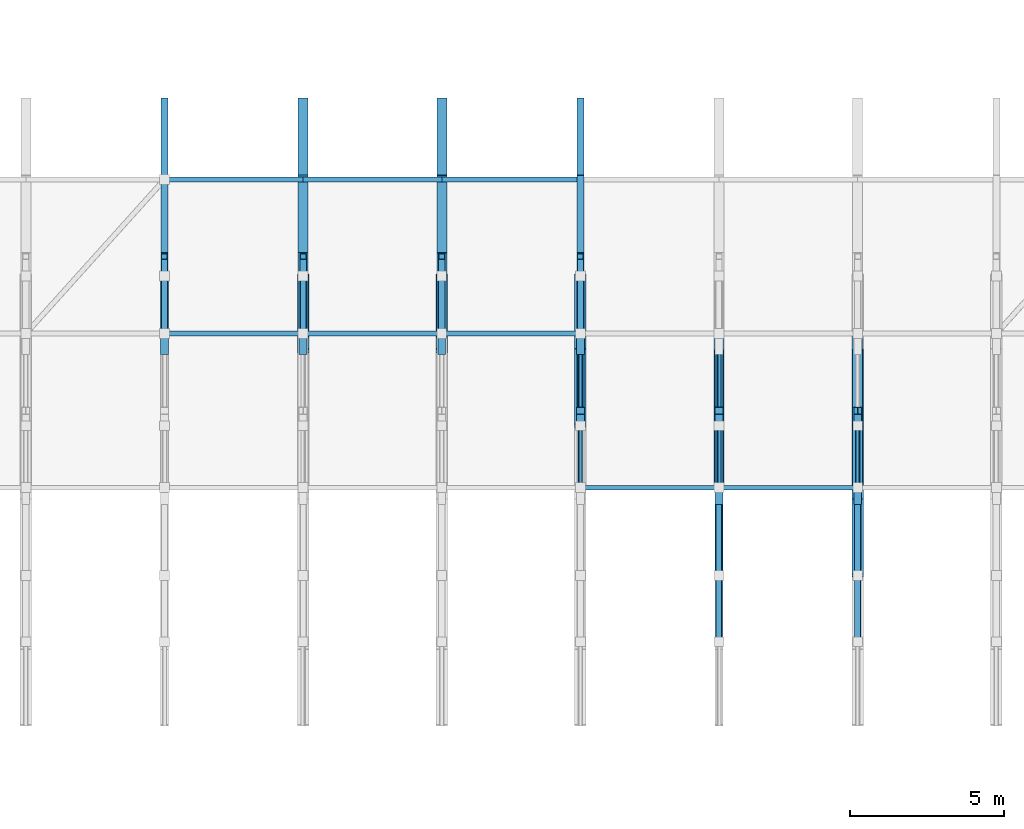
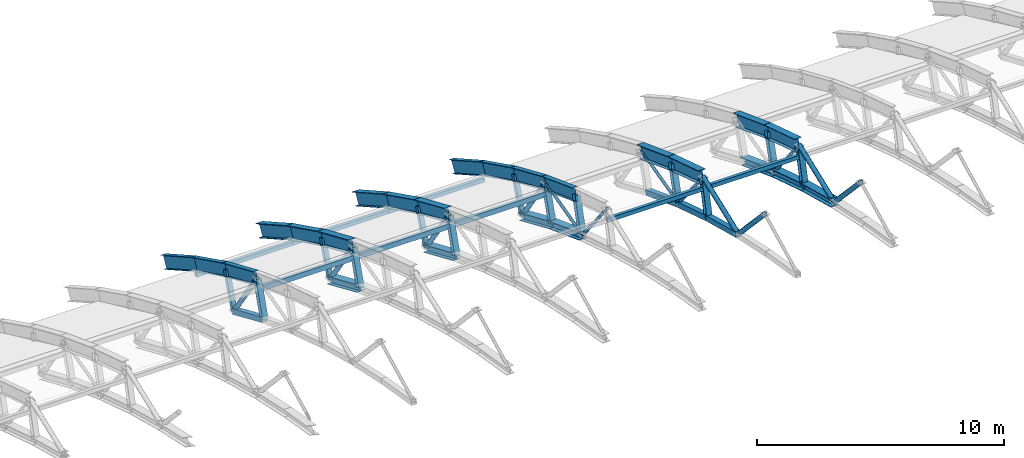
# One storey, part 46 of 103: 45 members, 17 beams.
"""IFC4 building model written with IfcOpenShell, lengths in metres."""

from ifc_helpers import new_model, si_unit, direction, frame, origin, origin_2d, place, context, subcontext, project, spatial, hollow_rectangle, hollow_circle, i_section, extrude, material, material_profile, profile_set, type_object, element, save


model = new_model("IFC4")

# Units and contexts
model_context = context("Model", 3, precision=1e-05, world=origin(), true_north=direction((0.0, 1.0)))
body_context = subcontext(model_context, "Body", "Model", "MODEL_VIEW")
ifc_project = project(units=[si_unit("LENGTHUNIT", "METRE"), si_unit("AREAUNIT", "SQUARE_METRE"), si_unit("VOLUMEUNIT", "CUBIC_METRE"), si_unit("PLANEANGLEUNIT", "RADIAN"), si_unit("MASSUNIT", "GRAM", prefix="KILO")], contexts=[model_context])

# Site, building, storey
site_placement = place(None, origin())
site = spatial("IfcSite", under=ifc_project, at=site_placement, CompositionType="ELEMENT")
building_placement = place(site_placement, origin())
building = spatial("IfcBuilding", under=site, at=building_placement, Name="Cazmaro Siding Exhibition Halls", CompositionType="ELEMENT")
storey_placement = place(building_placement, frame((0.0, 0.0, 16.5)))
storey = spatial("IfcBuildingStorey", under=building, at=storey_placement, Name="L03", CompositionType="ELEMENT", Elevation=16.5)

# Beams
ifc_material_1 = material(Name="Steel ASTM A992 Grade 50", Category="steel")
ifc_material_profile_1 = material_profile(ifc_material_1, i_section(OverallWidth=0.327880859375, OverallDepth=0.626953125, WebThickness=0.01708984375, FlangeThickness=0.028076171875, at=origin_2d()), Name="W24X146")
ifc_profile_set_1 = profile_set([ifc_material_profile_1], Name="Steel ASTM A992 Grade 50")
beam_type_1 = type_object("IfcBeamType", Name="AR-01", PredefinedType="USERDEFINED", material=ifc_profile_set_1)
beam_1_placement = place(storey_placement, frame((85.5, 114.0, 3.1220703125), z_axis=(0.0, 0.917729918626, -0.397204980405), x_axis=(-1.0, 0.0, 0.0)))
element("IfcBeam", 1, at=beam_1_placement, inside=storey, type_object=beam_type_1, Name="Space frame barrel vault arched rib AR-01 BM-0771", ObjectType="ARCHED RIB", PredefinedType="USERDEFINED", context=body_context, shape_type="SweptSolid", body=[
    extrude(i_section(OverallWidth=0.327880859375, OverallDepth=0.626953125, WebThickness=0.01708984375, FlangeThickness=0.028076171875, at=origin_2d()), origin(), (0.0, 0.0, 1.0), 2.72412109375),
])
beam_2_placement = place(storey_placement, frame((85.5, 116.5, 2.0400390625), z_axis=(0.0, 0.895996638269, -0.444060833908), x_axis=(-1.0, 0.0, 0.0)))
element("IfcBeam", 2, at=beam_2_placement, inside=storey, type_object=beam_type_1, Name="Space frame barrel vault arched rib AR-01 BM-0772", ObjectType="ARCHED RIB", PredefinedType="USERDEFINED", context=body_context, shape_type="SweptSolid", body=[
    extrude(i_section(OverallWidth=0.327880859375, OverallDepth=0.626953125, WebThickness=0.01708984375, FlangeThickness=0.028076171875, at=origin_2d()), origin(), (0.0, 0.0, 1.0), 2.790283203125),
])
beam_3_placement = place(storey_placement, frame((85.5, 119.0, 0.801025390625), z_axis=(0.0, 0.871320907359, -0.490713639916), x_axis=(-1.0, 0.0, 0.0)))
element("IfcBeam", 3, at=beam_3_placement, inside=storey, type_object=beam_type_1, Name="Space frame barrel vault arched rib AR-01 BM-0773", ObjectType="ARCHED RIB", PredefinedType="USERDEFINED", context=body_context, shape_type="SweptSolid", body=[
    extrude(i_section(OverallWidth=0.327880859375, OverallDepth=0.626953125, WebThickness=0.01708984375, FlangeThickness=0.028076171875, at=origin_2d()), origin(), (0.0, 0.0, 1.0), 2.869140625),
])
beam_4_placement = place(storey_placement, frame((99.0, 109.0, 4.85498046875), z_axis=(0.0, 0.952769241759, -0.303695195811), x_axis=(-1.0, 0.0, 0.0)))
element("IfcBeam", 4, at=beam_4_placement, inside=storey, type_object=beam_type_1, Name="Space frame barrel vault arched rib AR-01 BM-0841", ObjectType="ARCHED RIB", PredefinedType="USERDEFINED", context=body_context, shape_type="SweptSolid", body=[
    extrude(i_section(OverallWidth=0.327880859375, OverallDepth=0.626953125, WebThickness=0.01708984375, FlangeThickness=0.028076171875, at=origin_2d()), origin(), (0.0, 0.0, 1.0), 2.6240234375),
])
beam_5_placement = place(storey_placement, frame((99.0, 111.5, 4.05810546875), z_axis=(0.0, 0.936509460339, -0.350642311615), x_axis=(-1.0, 0.0, 0.0)))
element("IfcBeam", 5, at=beam_5_placement, inside=storey, type_object=beam_type_1, Name="Space frame barrel vault arched rib AR-01 BM-0842", ObjectType="ARCHED RIB", PredefinedType="USERDEFINED", context=body_context, shape_type="SweptSolid", body=[
    extrude(i_section(OverallWidth=0.327880859375, OverallDepth=0.626953125, WebThickness=0.01708984375, FlangeThickness=0.028076171875, at=origin_2d()), origin(), (0.0, 0.0, 1.0), 2.66943359375),
])
ifc_material_2 = material(Name="Steel ASTM A992 Grade 50", Category="steel")
ifc_material_profile_2 = material_profile(ifc_material_2, i_section(OverallWidth=0.324951171875, OverallDepth=0.612060546875, WebThickness=0.012939453125, FlangeThickness=0.01904296875, at=origin_2d()), Name="W24X104")
ifc_profile_set_2 = profile_set([ifc_material_profile_2], Name="Steel ASTM A992 Grade 50")
beam_type_2 = type_object("IfcBeamType", Name="AR-02", PredefinedType="USERDEFINED", material=ifc_profile_set_2)
beam_6_placement = place(storey_placement, frame((90.0, 114.0, 3.1220703125), z_axis=(0.0, 0.917729918626, -0.397204980405), x_axis=(-1.0, 0.0, 0.0)))
element("IfcBeam", 6, at=beam_6_placement, inside=storey, type_object=beam_type_2, Name="Space frame barrel vault arched rib AR-02 BM-0795", ObjectType="ARCHED RIB", PredefinedType="USERDEFINED", context=body_context, shape_type="SweptSolid", body=[
    extrude(i_section(OverallWidth=0.324951171875, OverallDepth=0.612060546875, WebThickness=0.012939453125, FlangeThickness=0.01904296875, at=origin_2d()), origin(), (0.0, 0.0, 1.0), 2.72412109375),
])
beam_7_placement = place(storey_placement, frame((90.0, 116.5, 2.0400390625), z_axis=(0.0, 0.895996638269, -0.444060833908), x_axis=(-1.0, 0.0, 0.0)))
element("IfcBeam", 7, at=beam_7_placement, inside=storey, type_object=beam_type_2, Name="Space frame barrel vault arched rib AR-02 BM-0796", ObjectType="ARCHED RIB", PredefinedType="USERDEFINED", context=body_context, shape_type="SweptSolid", body=[
    extrude(i_section(OverallWidth=0.324951171875, OverallDepth=0.612060546875, WebThickness=0.012939453125, FlangeThickness=0.01904296875, at=origin_2d()), origin(), (0.0, 0.0, 1.0), 2.790283203125),
])
beam_8_placement = place(storey_placement, frame((90.0, 119.0, 0.801025390625), z_axis=(0.0, 0.871320907359, -0.490713639916), x_axis=(-1.0, 0.0, 0.0)))
element("IfcBeam", 8, at=beam_8_placement, inside=storey, type_object=beam_type_2, Name="Space frame barrel vault arched rib AR-02 BM-0797", ObjectType="ARCHED RIB", PredefinedType="USERDEFINED", context=body_context, shape_type="SweptSolid", body=[
    extrude(i_section(OverallWidth=0.324951171875, OverallDepth=0.612060546875, WebThickness=0.012939453125, FlangeThickness=0.01904296875, at=origin_2d()), origin(), (0.0, 0.0, 1.0), 2.869140625),
])
beam_9_placement = place(storey_placement, frame((103.5, 109.0, 4.85498046875), z_axis=(0.0, 0.952769241759, -0.303695195811), x_axis=(-1.0, 0.0, 0.0)))
element("IfcBeam", 9, at=beam_9_placement, inside=storey, type_object=beam_type_2, Name="Space frame barrel vault arched rib AR-02 BM-0865", ObjectType="ARCHED RIB", PredefinedType="USERDEFINED", context=body_context, shape_type="SweptSolid", body=[
    extrude(i_section(OverallWidth=0.324951171875, OverallDepth=0.612060546875, WebThickness=0.012939453125, FlangeThickness=0.01904296875, at=origin_2d()), origin(), (0.0, 0.0, 1.0), 2.6240234375),
])
beam_10_placement = place(storey_placement, frame((103.5, 111.5, 4.05810546875), z_axis=(0.0, 0.936509460339, -0.350642311615), x_axis=(-1.0, 0.0, 0.0)))
element("IfcBeam", 10, at=beam_10_placement, inside=storey, type_object=beam_type_2, Name="Space frame barrel vault arched rib AR-02 BM-0866", ObjectType="ARCHED RIB", PredefinedType="USERDEFINED", context=body_context, shape_type="SweptSolid", body=[
    extrude(i_section(OverallWidth=0.324951171875, OverallDepth=0.612060546875, WebThickness=0.012939453125, FlangeThickness=0.01904296875, at=origin_2d()), origin(), (0.0, 0.0, 1.0), 2.66943359375),
])
ifc_material_3 = material(Name="Steel ASTM A992 Grade 50", Category="steel")
ifc_material_profile_3 = material_profile(ifc_material_3, i_section(OverallWidth=0.22900390625, OverallDepth=0.612060546875, WebThickness=0.011962890625, FlangeThickness=0.02001953125, at=origin_2d()), Name="W24X84")
ifc_profile_set_3 = profile_set([ifc_material_profile_3], Name="Steel ASTM A992 Grade 50")
beam_type_3 = type_object("IfcBeamType", Name="AR-03", PredefinedType="USERDEFINED", material=ifc_profile_set_3)
beam_11_placement = place(storey_placement, frame((81.0, 114.0, 3.1220703125), z_axis=(0.0, 0.917729918626, -0.397204980405), x_axis=(-1.0, 0.0, 0.0)))
element("IfcBeam", 11, at=beam_11_placement, inside=storey, type_object=beam_type_3, Name="Space frame barrel vault arched rib AR-03 BM-0747", ObjectType="ARCHED RIB", PredefinedType="USERDEFINED", context=body_context, shape_type="SweptSolid", body=[
    extrude(i_section(OverallWidth=0.22900390625, OverallDepth=0.612060546875, WebThickness=0.011962890625, FlangeThickness=0.02001953125, at=origin_2d()), origin(), (0.0, 0.0, 1.0), 2.72412109375),
])
beam_12_placement = place(storey_placement, frame((81.0, 116.5, 2.0400390625), z_axis=(0.0, 0.895996638269, -0.444060833908), x_axis=(-1.0, 0.0, 0.0)))
element("IfcBeam", 12, at=beam_12_placement, inside=storey, type_object=beam_type_3, Name="Space frame barrel vault arched rib AR-03 BM-0748", ObjectType="ARCHED RIB", PredefinedType="USERDEFINED", context=body_context, shape_type="SweptSolid", body=[
    extrude(i_section(OverallWidth=0.22900390625, OverallDepth=0.612060546875, WebThickness=0.011962890625, FlangeThickness=0.02001953125, at=origin_2d()), origin(), (0.0, 0.0, 1.0), 2.790283203125),
])
beam_13_placement = place(storey_placement, frame((81.0, 119.0, 0.801025390625), z_axis=(0.0, 0.871320907359, -0.490713639916), x_axis=(-1.0, 0.0, 0.0)))
element("IfcBeam", 13, at=beam_13_placement, inside=storey, type_object=beam_type_3, Name="Space frame barrel vault arched rib AR-03 BM-0749", ObjectType="ARCHED RIB", PredefinedType="USERDEFINED", context=body_context, shape_type="SweptSolid", body=[
    extrude(i_section(OverallWidth=0.22900390625, OverallDepth=0.612060546875, WebThickness=0.011962890625, FlangeThickness=0.02001953125, at=origin_2d()), origin(), (0.0, 0.0, 1.0), 2.869140625),
])
beam_14_placement = place(storey_placement, frame((94.5, 111.5, 4.05810546875), z_axis=(0.0, 0.936509460339, -0.350642311615), x_axis=(-1.0, 0.0, 0.0)))
element("IfcBeam", 14, at=beam_14_placement, inside=storey, type_object=beam_type_3, Name="Space frame barrel vault arched rib AR-03 BM-0818", ObjectType="ARCHED RIB", PredefinedType="USERDEFINED", context=body_context, shape_type="SweptSolid", body=[
    extrude(i_section(OverallWidth=0.22900390625, OverallDepth=0.612060546875, WebThickness=0.011962890625, FlangeThickness=0.02001953125, at=origin_2d()), origin(), (0.0, 0.0, 1.0), 2.66943359375),
])
beam_15_placement = place(storey_placement, frame((94.5, 114.0, 3.1220703125), z_axis=(0.0, 0.917729918626, -0.397204980405), x_axis=(-1.0, 0.0, 0.0)))
element("IfcBeam", 15, at=beam_15_placement, inside=storey, type_object=beam_type_3, Name="Space frame barrel vault arched rib AR-03 BM-0819", ObjectType="ARCHED RIB", PredefinedType="USERDEFINED", context=body_context, shape_type="SweptSolid", body=[
    extrude(i_section(OverallWidth=0.22900390625, OverallDepth=0.612060546875, WebThickness=0.011962890625, FlangeThickness=0.02001953125, at=origin_2d()), origin(), (0.0, 0.0, 1.0), 2.72412109375),
])
beam_16_placement = place(storey_placement, frame((94.5, 116.5, 2.0400390625), z_axis=(0.0, 0.895996638269, -0.444060833908), x_axis=(-1.0, 0.0, 0.0)))
element("IfcBeam", 16, at=beam_16_placement, inside=storey, type_object=beam_type_3, Name="Space frame barrel vault arched rib AR-03 BM-0820", ObjectType="ARCHED RIB", PredefinedType="USERDEFINED", context=body_context, shape_type="SweptSolid", body=[
    extrude(i_section(OverallWidth=0.22900390625, OverallDepth=0.612060546875, WebThickness=0.011962890625, FlangeThickness=0.02001953125, at=origin_2d()), origin(), (0.0, 0.0, 1.0), 2.790283203125),
])
beam_17_placement = place(storey_placement, frame((94.5, 119.0, 0.801025390625), z_axis=(0.0, 0.871320907359, -0.490713639916), x_axis=(-1.0, 0.0, 0.0)))
element("IfcBeam", 17, at=beam_17_placement, inside=storey, type_object=beam_type_3, Name="Space frame barrel vault arched rib AR-03 BM-0821", ObjectType="ARCHED RIB", PredefinedType="USERDEFINED", context=body_context, shape_type="SweptSolid", body=[
    extrude(i_section(OverallWidth=0.22900390625, OverallDepth=0.612060546875, WebThickness=0.011962890625, FlangeThickness=0.02001953125, at=origin_2d()), origin(), (0.0, 0.0, 1.0), 2.869140625),
])

# Members
ifc_material_4 = material(Name="Steel ASTM A500 Grade C", Category="steel")
ifc_material_profile_4 = material_profile(ifc_material_4, hollow_rectangle(XDim=0.152099609375, YDim=0.202880859375, WallThickness=0.011962890625, at=origin_2d()), Name="HSS8X6X1/2")
ifc_profile_set_4 = profile_set([ifc_material_profile_4], Name="Steel ASTM A500 Grade C")
member_type_1 = type_object("IfcMemberType", Name="RP-01", PredefinedType="PURLIN", material=ifc_profile_set_4)
for number, where, z_axis, x_axis, name in (
    (18, (81.0, 119.0, 0.260986328125), (1.0, 0.0, 0.0), (0.0, 1.0, 0.0), "Space frame barrel vault purlin RP-01 MEM-2074"),
    (19, (85.5, 119.0, 0.260986328125), (1.0, 0.0, 0.0), (0.0, 1.0, 0.0), "Space frame barrel vault purlin RP-01 MEM-2085"),
    (20, (90.0, 119.0, 0.260986328125), (1.0, 0.0, 0.0), (0.0, 1.0, 0.0), "Space frame barrel vault purlin RP-01 MEM-2096"),
    (21, (94.5, 109.0, 4.31494140625), (1.0, 0.0, 0.0), (0.0, 1.0, 0.0), "Space frame barrel vault purlin RP-01 MEM-2105"),
    (22, (99.0, 109.0, 4.31494140625), (1.0, 0.0, 0.0), (0.0, 1.0, 0.0), "Space frame barrel vault purlin RP-01 MEM-2116"),
):
    element("IfcMember", number, at=place(storey_placement, frame(where, z_axis=z_axis, x_axis=x_axis)), inside=storey, type_object=member_type_1, Name=name, PredefinedType="PURLIN", context=body_context, shape_type="SweptSolid", body=[
        extrude(hollow_rectangle(XDim=0.152099609375, YDim=0.202880859375, WallThickness=0.011962890625, at=origin_2d()), origin(), (0.0, 0.0, 1.0), 4.5),
    ])
ifc_material_5 = material(Name="Steel ASTM A500 Grade C", Category="steel")
ifc_material_profile_5 = material_profile(ifc_material_5, hollow_rectangle(XDim=0.152099609375, YDim=0.25390625, WallThickness=0.011962890625, at=origin_2d()), Name="HSS10X6X1/2")
ifc_profile_set_5 = profile_set([ifc_material_profile_5], Name="Steel ASTM A500 Grade C")
member_type_2 = type_object("IfcMemberType", Name="RP-04", PredefinedType="PURLIN", material=ifc_profile_set_5)
for number, where, z_axis, x_axis, name in (
    (23, (81.0, 114.0, 2.58203125), (1.0, 0.0, 0.0), (0.0, 1.0, 0.0), "Space frame barrel vault purlin RP-04 MEM-2073"),
    (24, (85.5, 114.0, 2.58203125), (1.0, 0.0, 0.0), (0.0, 1.0, 0.0), "Space frame barrel vault purlin RP-04 MEM-2084"),
    (25, (90.0, 114.0, 2.58203125), (1.0, 0.0, 0.0), (0.0, 1.0, 0.0), "Space frame barrel vault purlin RP-04 MEM-2095"),
):
    element("IfcMember", number, at=place(storey_placement, frame(where, z_axis=z_axis, x_axis=x_axis)), inside=storey, type_object=member_type_2, Name=name, PredefinedType="PURLIN", context=body_context, shape_type="SweptSolid", body=[
        extrude(hollow_rectangle(XDim=0.152099609375, YDim=0.25390625, WallThickness=0.011962890625, at=origin_2d()), origin(), (0.0, 0.0, 1.0), 4.5),
    ])
ifc_material_6 = material(Name="Steel ASTM A500 Grade C", Category="steel")
ifc_material_profile_6 = material_profile(ifc_material_6, hollow_rectangle(XDim=0.25390625, YDim=0.25390625, WallThickness=0.014892578125, at=origin_2d()), Name="HSS10X10X5/8")
ifc_profile_set_6 = profile_set([ifc_material_profile_6], Name="Steel ASTM A500 Grade C")
member_type_3 = type_object("IfcMemberType", Name="TC-01", PredefinedType="CHORD", material=ifc_profile_set_6)
member_1_placement = place(storey_placement, frame((81.0, 113.43896484375, 1.430908203125), z_axis=(0.0, 0.917689003843, -0.397299499403), x_axis=(-1.0, 0.0, 0.0)))
element("IfcMember", 26, at=member_1_placement, inside=storey, type_object=member_type_3, Name="Space frame barrel vault bottom chord TC-01 MEM-0561", PredefinedType="CHORD", context=body_context, shape_type="SweptSolid", body=[
    extrude(hollow_rectangle(XDim=0.25390625, YDim=0.25390625, WallThickness=0.014892578125, at=origin_2d()), origin(), (0.0, 0.0, 1.0), 2.64794921875),
])
member_2_placement = place(storey_placement, frame((99.0, 106.14990234375, 3.760986328125), z_axis=(0.0, 0.966437683387, -0.256901156343), x_axis=(-1.0, 0.0, 0.0)))
element("IfcMember", 27, at=member_2_placement, inside=storey, type_object=member_type_3, Name="Space frame barrel vault bottom chord TC-01 MEM-0839", PredefinedType="CHORD", context=body_context, shape_type="SweptSolid", body=[
    extrude(hollow_rectangle(XDim=0.25390625, YDim=0.25390625, WallThickness=0.014892578125, at=origin_2d()), origin(), (0.0, 0.0, 1.0), 2.5146484375),
])
member_3_placement = place(storey_placement, frame((99.0, 108.580078125, 3.114990234375), z_axis=(0.0, 0.952692842525, -0.303934775573), x_axis=(-1.0, 0.0, 0.0)))
element("IfcMember", 28, at=member_3_placement, inside=storey, type_object=member_type_3, Name="Space frame barrel vault bottom chord TC-01 MEM-0841", PredefinedType="CHORD", context=body_context, shape_type="SweptSolid", body=[
    extrude(hollow_rectangle(XDim=0.25390625, YDim=0.25390625, WallThickness=0.014892578125, at=origin_2d()), origin(), (0.0, 0.0, 1.0), 2.549560546875),
])
member_4_placement = place(storey_placement, frame((99.0, 111.009033203125, 2.340087890625), z_axis=(0.0, 0.936588022869, -0.350432412053), x_axis=(-1.0, 0.0, 0.0)))
element("IfcMember", 29, at=member_4_placement, inside=storey, type_object=member_type_3, Name="Space frame barrel vault bottom chord TC-01 MEM-0843", PredefinedType="CHORD", context=body_context, shape_type="SweptSolid", body=[
    extrude(hollow_rectangle(XDim=0.25390625, YDim=0.25390625, WallThickness=0.014892578125, at=origin_2d()), origin(), (0.0, 0.0, 1.0), 2.594482421875),
])
ifc_material_7 = material(Name="Steel ASTM A992 Grade 50", Category="steel")
ifc_material_profile_7 = material_profile(ifc_material_7, i_section(OverallWidth=0.37109375, OverallDepth=0.364013671875, WebThickness=0.012939453125, FlangeThickness=0.02197265625, at=origin_2d()), Name="W14X109")
ifc_profile_set_7 = profile_set([ifc_material_profile_7], Name="Steel ASTM A992 Grade 50")
member_type_4 = type_object("IfcMemberType", Name="TC-06", PredefinedType="CHORD", material=ifc_profile_set_7)
for number, where, z_axis, x_axis, name in (
    (30, (85.5, 113.43896484375, 1.430908203125), (0.0, 0.917689003843, -0.397299499403), (-1.0, 0.0, 0.0), "Space frame barrel vault bottom chord TC-06 MEM-0632"),
    (31, (90.0, 113.43896484375, 1.430908203125), (0.0, 0.917689003843, -0.397299499403), (-1.0, 0.0, 0.0), "Space frame barrel vault bottom chord TC-06 MEM-0703"),
):
    element("IfcMember", number, at=place(storey_placement, frame(where, z_axis=z_axis, x_axis=x_axis)), inside=storey, type_object=member_type_4, Name=name, PredefinedType="CHORD", context=body_context, shape_type="SweptSolid", body=[
        extrude(i_section(OverallWidth=0.37109375, OverallDepth=0.364013671875, WebThickness=0.012939453125, FlangeThickness=0.02197265625, at=origin_2d()), origin(), (0.0, 0.0, 1.0), 2.64794921875),
    ])
member_5_placement = place(storey_placement, frame((94.5, 111.009033203125, 2.340087890625), z_axis=(0.0, 0.936588022869, -0.350432412053), x_axis=(-1.0, 0.0, 0.0)))
element("IfcMember", 32, at=member_5_placement, inside=storey, type_object=member_type_4, Name="Space frame barrel vault bottom chord TC-06 MEM-0772", PredefinedType="CHORD", context=body_context, shape_type="SweptSolid", body=[
    extrude(i_section(OverallWidth=0.37109375, OverallDepth=0.364013671875, WebThickness=0.012939453125, FlangeThickness=0.02197265625, at=origin_2d()), origin(), (0.0, 0.0, 1.0), 2.594482421875),
])
member_6_placement = place(storey_placement, frame((94.5, 113.43896484375, 1.430908203125), z_axis=(0.0, 0.917689003843, -0.397299499403), x_axis=(-1.0, 0.0, 0.0)))
element("IfcMember", 33, at=member_6_placement, inside=storey, type_object=member_type_4, Name="Space frame barrel vault bottom chord TC-06 MEM-0774", PredefinedType="CHORD", context=body_context, shape_type="SweptSolid", body=[
    extrude(i_section(OverallWidth=0.37109375, OverallDepth=0.364013671875, WebThickness=0.012939453125, FlangeThickness=0.02197265625, at=origin_2d()), origin(), (0.0, 0.0, 1.0), 2.64794921875),
])
member_7_placement = place(storey_placement, frame((103.5, 106.14990234375, 3.760986328125), z_axis=(0.0, 0.966437683387, -0.256901156343), x_axis=(-1.0, 0.0, 0.0)))
element("IfcMember", 34, at=member_7_placement, inside=storey, type_object=member_type_4, Name="Space frame barrel vault bottom chord TC-06 MEM-0910", PredefinedType="CHORD", context=body_context, shape_type="SweptSolid", body=[
    extrude(i_section(OverallWidth=0.37109375, OverallDepth=0.364013671875, WebThickness=0.012939453125, FlangeThickness=0.02197265625, at=origin_2d()), origin(), (0.0, 0.0, 1.0), 2.5146484375),
])
member_8_placement = place(storey_placement, frame((103.5, 108.580078125, 3.114990234375), z_axis=(0.0, 0.952692842525, -0.303934775573), x_axis=(-1.0, 0.0, 0.0)))
element("IfcMember", 35, at=member_8_placement, inside=storey, type_object=member_type_4, Name="Space frame barrel vault bottom chord TC-06 MEM-0912", PredefinedType="CHORD", context=body_context, shape_type="SweptSolid", body=[
    extrude(i_section(OverallWidth=0.37109375, OverallDepth=0.364013671875, WebThickness=0.012939453125, FlangeThickness=0.02197265625, at=origin_2d()), origin(), (0.0, 0.0, 1.0), 2.549560546875),
])
member_9_placement = place(storey_placement, frame((103.5, 111.009033203125, 2.340087890625), z_axis=(0.0, 0.936588022869, -0.350432412053), x_axis=(-1.0, 0.0, 0.0)))
element("IfcMember", 36, at=member_9_placement, inside=storey, type_object=member_type_4, Name="Space frame barrel vault bottom chord TC-06 MEM-0914", PredefinedType="CHORD", context=body_context, shape_type="SweptSolid", body=[
    extrude(i_section(OverallWidth=0.37109375, OverallDepth=0.364013671875, WebThickness=0.012939453125, FlangeThickness=0.02197265625, at=origin_2d()), origin(), (0.0, 0.0, 1.0), 2.594482421875),
])
ifc_material_8 = material(Name="Steel ASTM A500 Grade C", Category="steel")
ifc_material_profile_8 = material_profile(ifc_material_8, hollow_rectangle(XDim=0.202880859375, YDim=0.202880859375, WallThickness=0.011962890625, at=origin_2d()), Name="HSS8X8X1/2")
ifc_profile_set_8 = profile_set([ifc_material_profile_8], Name="Steel ASTM A500 Grade C")
member_type_5 = type_object("IfcMemberType", Name="TP-01", PredefinedType="POST", material=ifc_profile_set_8)
for number, where, z_axis, x_axis, name in (
    (37, (81.0, 115.868896484375, 0.37890625), (0.0, 0.355155331276, 0.934807301355), (-1.0, 0.0, 0.0), "Space frame barrel vault post TP-01 MEM-0589"),
    (38, (85.5, 115.868896484375, 0.37890625), (0.0, 0.355155331276, 0.934807301355), (-1.0, 0.0, 0.0), "Space frame barrel vault post TP-01 MEM-0660"),
    (39, (90.0, 115.868896484375, 0.37890625), (0.0, 0.355155331276, 0.934807301355), (-1.0, 0.0, 0.0), "Space frame barrel vault post TP-01 MEM-0731"),
    (40, (94.5, 115.868896484375, 0.37890625), (0.0, 0.355155331276, 0.934807301355), (-1.0, 0.0, 0.0), "Space frame barrel vault post TP-01 MEM-0802"),
):
    element("IfcMember", number, at=place(storey_placement, frame(where, z_axis=z_axis, x_axis=x_axis)), inside=storey, type_object=member_type_5, Name=name, PredefinedType="POST", context=body_context, shape_type="SweptSolid", body=[
        extrude(hollow_rectangle(XDim=0.202880859375, YDim=0.202880859375, WallThickness=0.011962890625, at=origin_2d()), origin(), (0.0, 0.0, 1.0), 1.777099609375),
    ])
ifc_material_9 = material(Name="Steel ASTM A992 Grade 50", Category="steel")
ifc_material_profile_9 = material_profile(ifc_material_9, i_section(OverallWidth=0.25390625, OverallDepth=0.25390625, WebThickness=0.009033203125, FlangeThickness=0.013916015625, at=origin_2d()), Name="W10X49")
ifc_profile_set_9 = profile_set([ifc_material_profile_9], Name="Steel ASTM A992 Grade 50")
member_type_6 = type_object("IfcMemberType", Name="TP-04", PredefinedType="POST", material=ifc_profile_set_9)
for number, where, z_axis, x_axis, name in (
    (41, (81.0, 113.43896484375, 1.430908203125), (0.0, 0.314870949103, 0.949134492794), (-1.0, 0.0, 0.0), "Space frame barrel vault post TP-04 MEM-0588"),
    (42, (85.5, 113.43896484375, 1.430908203125), (0.0, 0.314870949103, 0.949134492794), (-1.0, 0.0, 0.0), "Space frame barrel vault post TP-04 MEM-0659"),
    (43, (90.0, 113.43896484375, 1.430908203125), (0.0, 0.314870949103, 0.949134492794), (-1.0, 0.0, 0.0), "Space frame barrel vault post TP-04 MEM-0730"),
):
    element("IfcMember", number, at=place(storey_placement, frame(where, z_axis=z_axis, x_axis=x_axis)), inside=storey, type_object=member_type_6, Name=name, PredefinedType="POST", context=body_context, shape_type="SweptSolid", body=[
        extrude(i_section(OverallWidth=0.25390625, OverallDepth=0.25390625, WebThickness=0.009033203125, FlangeThickness=0.013916015625, at=origin_2d()), origin(), (0.0, 0.0, 1.0), 1.78173828125),
    ])
member_10_placement = place(storey_placement, frame((94.5, 111.009033203125, 2.340087890625), z_axis=(0.0, 0.274775266308, 0.961508477875), x_axis=(-1.0, 0.0, 0.0)))
element("IfcMember", 44, at=member_10_placement, inside=storey, type_object=member_type_6, Name="Space frame barrel vault post TP-04 MEM-0800", PredefinedType="POST", context=body_context, shape_type="SweptSolid", body=[
    extrude(i_section(OverallWidth=0.25390625, OverallDepth=0.25390625, WebThickness=0.009033203125, FlangeThickness=0.013916015625, at=origin_2d()), origin(), (0.0, 0.0, 1.0), 1.786865234375),
])
member_11_placement = place(storey_placement, frame((94.5, 113.43896484375, 1.430908203125), z_axis=(0.0, 0.314870949103, 0.949134492794), x_axis=(-1.0, 0.0, 0.0)))
element("IfcMember", 45, at=member_11_placement, inside=storey, type_object=member_type_6, Name="Space frame barrel vault post TP-04 MEM-0801", PredefinedType="POST", context=body_context, shape_type="SweptSolid", body=[
    extrude(i_section(OverallWidth=0.25390625, OverallDepth=0.25390625, WebThickness=0.009033203125, FlangeThickness=0.013916015625, at=origin_2d()), origin(), (0.0, 0.0, 1.0), 1.78173828125),
])
member_12_placement = place(storey_placement, frame((99.0, 108.580078125, 3.114990234375), z_axis=(0.0, 0.234600533729, 0.972091862724), x_axis=(-1.0, 0.0, 0.0)))
element("IfcMember", 46, at=member_12_placement, inside=storey, type_object=member_type_6, Name="Space frame barrel vault post TP-04 MEM-0870", PredefinedType="POST", context=body_context, shape_type="SweptSolid", body=[
    extrude(i_section(OverallWidth=0.25390625, OverallDepth=0.25390625, WebThickness=0.009033203125, FlangeThickness=0.013916015625, at=origin_2d()), origin(), (0.0, 0.0, 1.0), 1.7900390625),
])
member_13_placement = place(storey_placement, frame((99.0, 111.009033203125, 2.340087890625), z_axis=(0.0, 0.274775266308, 0.961508477875), x_axis=(-1.0, 0.0, 0.0)))
element("IfcMember", 47, at=member_13_placement, inside=storey, type_object=member_type_6, Name="Space frame barrel vault post TP-04 MEM-0871", PredefinedType="POST", context=body_context, shape_type="SweptSolid", body=[
    extrude(i_section(OverallWidth=0.25390625, OverallDepth=0.25390625, WebThickness=0.009033203125, FlangeThickness=0.013916015625, at=origin_2d()), origin(), (0.0, 0.0, 1.0), 1.786865234375),
])
member_14_placement = place(storey_placement, frame((103.5, 108.580078125, 3.114990234375), z_axis=(0.0, 0.234600533729, 0.972091862724), x_axis=(-1.0, 0.0, 0.0)))
element("IfcMember", 48, at=member_14_placement, inside=storey, type_object=member_type_6, Name="Space frame barrel vault post TP-04 MEM-0941", PredefinedType="POST", context=body_context, shape_type="SweptSolid", body=[
    extrude(i_section(OverallWidth=0.25390625, OverallDepth=0.25390625, WebThickness=0.009033203125, FlangeThickness=0.013916015625, at=origin_2d()), origin(), (0.0, 0.0, 1.0), 1.7900390625),
])
member_15_placement = place(storey_placement, frame((103.5, 111.009033203125, 2.340087890625), z_axis=(0.0, 0.274775266308, 0.961508477875), x_axis=(-1.0, 0.0, 0.0)))
element("IfcMember", 49, at=member_15_placement, inside=storey, type_object=member_type_6, Name="Space frame barrel vault post TP-04 MEM-0942", PredefinedType="POST", context=body_context, shape_type="SweptSolid", body=[
    extrude(i_section(OverallWidth=0.25390625, OverallDepth=0.25390625, WebThickness=0.009033203125, FlangeThickness=0.013916015625, at=origin_2d()), origin(), (0.0, 0.0, 1.0), 1.786865234375),
])
ifc_material_10 = material(Name="Steel ASTM A500 Grade C", Category="steel")
ifc_material_profile_10 = material_profile(ifc_material_10, hollow_circle(Radius=0.109619140625, WallThickness=0.012939453125, at=origin_2d()), Name="PIPE8XS")
ifc_profile_set_10 = profile_set([ifc_material_profile_10], Name="Steel ASTM A500 Grade C")
member_type_7 = type_object("IfcMemberType", Name="WB-01", PredefinedType="BRACE", material=ifc_profile_set_10)
for number, where, z_axis, x_axis, name in (
    (50, (81.0, 114.0, 3.1220703125), (0.0, 0.563040090795, -0.826429583302), (-1.0, 0.0, 0.0), "Space frame barrel vault diagonal WB-01 MEM-0562"),
    (51, (85.5, 114.0, 3.1220703125), (0.0, 0.563040090795, -0.826429583302), (-1.0, 0.0, 0.0), "Space frame barrel vault diagonal WB-01 MEM-0633"),
    (52, (90.0, 114.0, 3.1220703125), (0.0, 0.563040090795, -0.826429583302), (-1.0, 0.0, 0.0), "Space frame barrel vault diagonal WB-01 MEM-0704"),
    (53, (94.5, 114.0, 3.1220703125), (0.0, 0.563040090795, -0.826429583302), (-1.0, 0.0, 0.0), "Space frame barrel vault diagonal WB-01 MEM-0775"),
):
    element("IfcMember", number, at=place(storey_placement, frame(where, z_axis=z_axis, x_axis=x_axis)), inside=storey, type_object=member_type_7, Name=name, PredefinedType="BRACE", context=body_context, shape_type="SweptSolid", body=[
        extrude(hollow_circle(Radius=0.109619140625, WallThickness=0.012939453125, at=origin_2d()), origin(), (0.0, 0.0, 1.0), 3.3193359375),
    ])
member_16_placement = place(storey_placement, frame((99.0, 104.0, 6.056884765625), z_axis=(0.0, 0.683517575744, -0.729934054315), x_axis=(-1.0, 0.0, 0.0)))
element("IfcMember", 54, at=member_16_placement, inside=storey, type_object=member_type_7, Name="Space frame barrel vault diagonal WB-01 MEM-0838", PredefinedType="BRACE", context=body_context, shape_type="SweptSolid", body=[
    extrude(hollow_circle(Radius=0.109619140625, WallThickness=0.012939453125, at=origin_2d()), origin(), (0.0, 0.0, 1.0), 3.145263671875),
])
member_17_placement = place(storey_placement, frame((99.0, 106.14990234375, 3.760986328125), z_axis=(0.0, 0.933586546586, 0.358352005761), x_axis=(-1.0, 0.0, 0.0)))
element("IfcMember", 55, at=member_17_placement, inside=storey, type_object=member_type_7, Name="Space frame barrel vault diagonal WB-01 MEM-0840", PredefinedType="BRACE", context=body_context, shape_type="SweptSolid", body=[
    extrude(hollow_circle(Radius=0.109619140625, WallThickness=0.012939453125, at=origin_2d()), origin(), (0.0, 0.0, 1.0), 3.052734375),
])
member_18_placement = place(storey_placement, frame((103.5, 104.0, 6.056884765625), z_axis=(0.0, 0.683517575744, -0.729934054315), x_axis=(-1.0, 0.0, 0.0)))
element("IfcMember", 56, at=member_18_placement, inside=storey, type_object=member_type_7, Name="Space frame barrel vault diagonal WB-01 MEM-0909", PredefinedType="BRACE", context=body_context, shape_type="SweptSolid", body=[
    extrude(hollow_circle(Radius=0.109619140625, WallThickness=0.012939453125, at=origin_2d()), origin(), (0.0, 0.0, 1.0), 3.145263671875),
])
member_19_placement = place(storey_placement, frame((103.5, 106.14990234375, 3.760986328125), z_axis=(0.0, 0.933586546586, 0.358352005761), x_axis=(-1.0, 0.0, 0.0)))
element("IfcMember", 57, at=member_19_placement, inside=storey, type_object=member_type_7, Name="Space frame barrel vault diagonal WB-01 MEM-0911", PredefinedType="BRACE", context=body_context, shape_type="SweptSolid", body=[
    extrude(hollow_circle(Radius=0.109619140625, WallThickness=0.012939453125, at=origin_2d()), origin(), (0.0, 0.0, 1.0), 3.052734375),
])
ifc_material_11 = material(Name="Steel ASTM A500 Grade C", Category="steel")
ifc_material_profile_11 = material_profile(ifc_material_11, hollow_circle(Radius=0.070556640625, WallThickness=0.01904296875, at=origin_2d()), Name="PIPE5XXS")
ifc_profile_set_11 = profile_set([ifc_material_profile_11], Name="Steel ASTM A500 Grade C")
member_type_8 = type_object("IfcMemberType", Name="WB-07", PredefinedType="BRACE", material=ifc_profile_set_11)
member_20_placement = place(storey_placement, frame((94.5, 109.0, 4.85498046875), z_axis=(0.0, 0.624149162907, -0.781305204412), x_axis=(-1.0, 0.0, 0.0)))
element("IfcMember", 58, at=member_20_placement, inside=storey, type_object=member_type_8, Name="Space frame barrel vault diagonal WB-07 MEM-0771", PredefinedType="BRACE", context=body_context, shape_type="SweptSolid", body=[
    extrude(hollow_circle(Radius=0.070556640625, WallThickness=0.01904296875, at=origin_2d()), origin(), (0.0, 0.0, 1.0), 3.21875),
])
member_21_placement = place(storey_placement, frame((94.5, 111.009033203125, 2.340087890625), z_axis=(0.0, 0.967480432857, 0.252945867802), x_axis=(-1.0, 0.0, 0.0)))
element("IfcMember", 59, at=member_21_placement, inside=storey, type_object=member_type_8, Name="Space frame barrel vault diagonal WB-07 MEM-0773", PredefinedType="BRACE", context=body_context, shape_type="SweptSolid", body=[
    extrude(hollow_circle(Radius=0.070556640625, WallThickness=0.01904296875, at=origin_2d()), origin(), (0.0, 0.0, 1.0), 3.091552734375),
])
member_22_placement = place(storey_placement, frame((99.0, 109.0, 4.85498046875), z_axis=(0.0, 0.624149162907, -0.781305204412), x_axis=(-1.0, 0.0, 0.0)))
element("IfcMember", 60, at=member_22_placement, inside=storey, type_object=member_type_8, Name="Space frame barrel vault diagonal WB-07 MEM-0842", PredefinedType="BRACE", context=body_context, shape_type="SweptSolid", body=[
    extrude(hollow_circle(Radius=0.070556640625, WallThickness=0.01904296875, at=origin_2d()), origin(), (0.0, 0.0, 1.0), 3.21875),
])
member_23_placement = place(storey_placement, frame((99.0, 111.009033203125, 2.340087890625), z_axis=(0.0, 0.967480432857, 0.252945867802), x_axis=(-1.0, 0.0, 0.0)))
element("IfcMember", 61, at=member_23_placement, inside=storey, type_object=member_type_8, Name="Space frame barrel vault diagonal WB-07 MEM-0844", PredefinedType="BRACE", context=body_context, shape_type="SweptSolid", body=[
    extrude(hollow_circle(Radius=0.070556640625, WallThickness=0.01904296875, at=origin_2d()), origin(), (0.0, 0.0, 1.0), 3.091552734375),
])
member_24_placement = place(storey_placement, frame((103.5, 109.0, 4.85498046875), z_axis=(0.0, 0.624149162907, -0.781305204412), x_axis=(-1.0, 0.0, 0.0)))
element("IfcMember", 62, at=member_24_placement, inside=storey, type_object=member_type_8, Name="Space frame barrel vault diagonal WB-07 MEM-0913", PredefinedType="BRACE", context=body_context, shape_type="SweptSolid", body=[
    extrude(hollow_circle(Radius=0.070556640625, WallThickness=0.01904296875, at=origin_2d()), origin(), (0.0, 0.0, 1.0), 3.21875),
])

save(model, "model.ifc")
